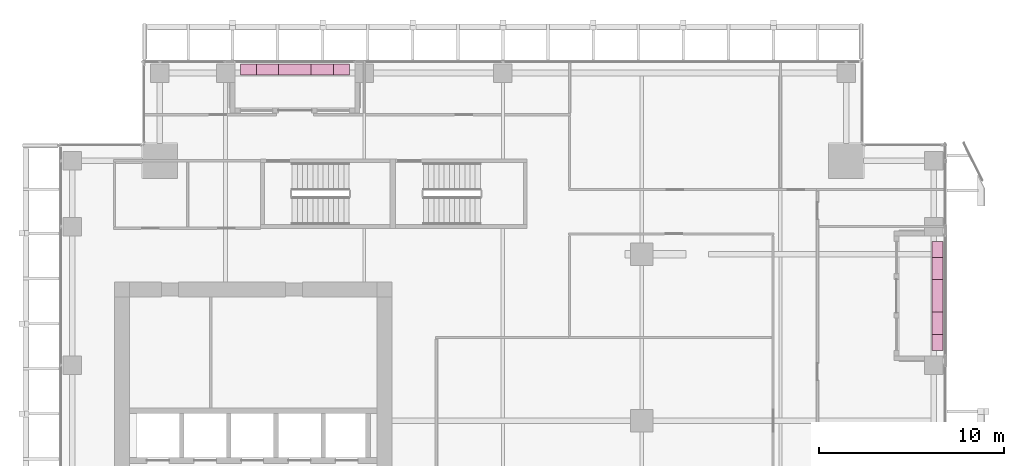
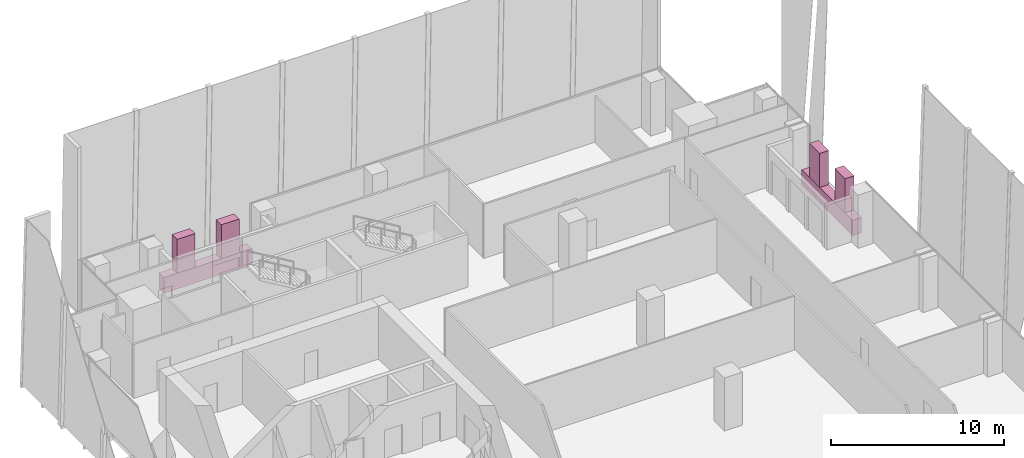
# One storey, part 35 of 35: 6 furnishings.
"""IFC4 building model written with IfcOpenShell, lengths in metres."""

from ifc_helpers import new_model, si_unit, direction, frame, origin, origin_2d, place, context, subcontext, project, spatial, rectangle, extrude, source, transform, mapped, material, type_object, element, save


model = new_model("IFC4")

# Units and contexts
model_context = context("Model", 3, precision=1e-05, world=origin(), true_north=direction((0.0, 1.0)))
body_context = subcontext(model_context, "Body", "Model", "MODEL_VIEW")
ifc_project = project(units=[si_unit("LENGTHUNIT", "METRE"), si_unit("AREAUNIT", "SQUARE_METRE"), si_unit("VOLUMEUNIT", "CUBIC_METRE"), si_unit("PLANEANGLEUNIT", "RADIAN"), si_unit("MASSUNIT", "GRAM", prefix="KILO")], contexts=[model_context])

# Site, building, storey
site_placement = place(None, origin())
site = spatial("IfcSite", under=ifc_project, at=site_placement, CompositionType="ELEMENT")
building_placement = place(site_placement, origin())
building = spatial("IfcBuilding", under=site, at=building_placement, Name="Khomas Fold Tower", CompositionType="ELEMENT")
storey_placement = place(building_placement, frame((0.0, 0.0, 188.699951171875)))
storey = spatial("IfcBuildingStorey", under=building, at=storey_placement, Name="L41", CompositionType="ELEMENT", Elevation=188.699951171875)

# Furnishings
ifc_material_1 = material(Name="Precast concrete C40/50", Category="concrete")
furnishing_element_type_1 = type_object("IfcFurnishingElementType", Name="BL-Structural planter box", material=ifc_material_1)
shared_shape_1 = source(origin(), body_context, "Body", "SweptSolid", [
    extrude(rectangle(XDim=5.89990234375, YDim=0.60009765625, at=origin_2d()), origin(), (0.0, 0.0, 1.0), 1.10009765625),
])
for number, where, z_axis, x_axis, name in (
    (1, (50.5, 38.25, -0.044921875), (0.0, 0.0, 1.0), (0.0, 1.0, 0.0), "PLANTER BAL-L41-E4"),
    (2, (15.75, 50.5, -0.044921875), (0.0, 0.0, 1.0), (1.0, 0.0, 0.0), "PLANTER BAL-L41-N1"),
):
    element("IfcFurnishingElement", number, at=place(storey_placement, frame(where, z_axis=z_axis, x_axis=x_axis)), inside=storey, type_object=furnishing_element_type_1, Name=name, context=body_context, shape_type="MappedRepresentation", body=[
        mapped(shared_shape_1, transform((0.0, 0.0, 0.0))),
    ])
ifc_material_2 = material(Name="Planting")
furnishing_element_type_2 = type_object("IfcFurnishingElementType", Name="BL-Tree Karee", material=ifc_material_2)
shared_shape_2 = source(origin(), body_context, "Body", "SweptSolid", [
    extrude(rectangle(XDim=1.199951171875, YDim=0.60009765625, at=origin_2d()), origin(), (0.0, 0.0, 1.0), 2.39501953125),
])
furnishing_1_placement = place(storey_placement, frame((50.5, 36.77490234375, 1.054931640625), z_axis=(0.0, 0.0, 1.0), x_axis=(0.0, 1.0, 0.0)))
element("IfcFurnishingElement", 3, at=furnishing_1_placement, inside=storey, type_object=furnishing_element_type_2, Name="PLANTER (TREE) Karee BAL-L41-E4-1", context=body_context, shape_type="MappedRepresentation", body=[
    mapped(shared_shape_2, transform((0.0, 0.0, 0.0))),
])
ifc_material_3 = material(Name="Planting")
furnishing_element_type_3 = type_object("IfcFurnishingElementType", Name="BL-Tree Wild olive", material=ifc_material_3)
furnishing_2_placement = place(storey_placement, frame((50.5, 39.72509765625, 1.054931640625), z_axis=(0.0, 0.0, 1.0), x_axis=(0.0, 1.0, 0.0)))
element("IfcFurnishingElement", 4, at=furnishing_2_placement, inside=storey, type_object=furnishing_element_type_3, Name="PLANTER (TREE) Wild olive BAL-L41-E4-2", context=body_context, shape_type="MappedRepresentation", body=[
    mapped(shared_shape_2, transform((0.0, 0.0, 0.0))),
])
furnishing_3_placement = place(storey_placement, frame((14.27490234375, 50.5, 1.054931640625), z_axis=(0.0, 0.0, 1.0), x_axis=(1.0, 0.0, 0.0)))
element("IfcFurnishingElement", 5, at=furnishing_3_placement, inside=storey, type_object=furnishing_element_type_2, Name="PLANTER (TREE) Karee BAL-L41-N1-1", context=body_context, shape_type="MappedRepresentation", body=[
    mapped(shared_shape_2, transform((0.0, 0.0, 0.0))),
])
furnishing_4_placement = place(storey_placement, frame((17.22509765625, 50.5, 1.054931640625), z_axis=(0.0, 0.0, 1.0), x_axis=(1.0, 0.0, 0.0)))
element("IfcFurnishingElement", 6, at=furnishing_4_placement, inside=storey, type_object=furnishing_element_type_3, Name="PLANTER (TREE) Wild olive BAL-L41-N1-2", context=body_context, shape_type="MappedRepresentation", body=[
    mapped(shared_shape_2, transform((0.0, 0.0, 0.0))),
])

save(model, "model.ifc")
